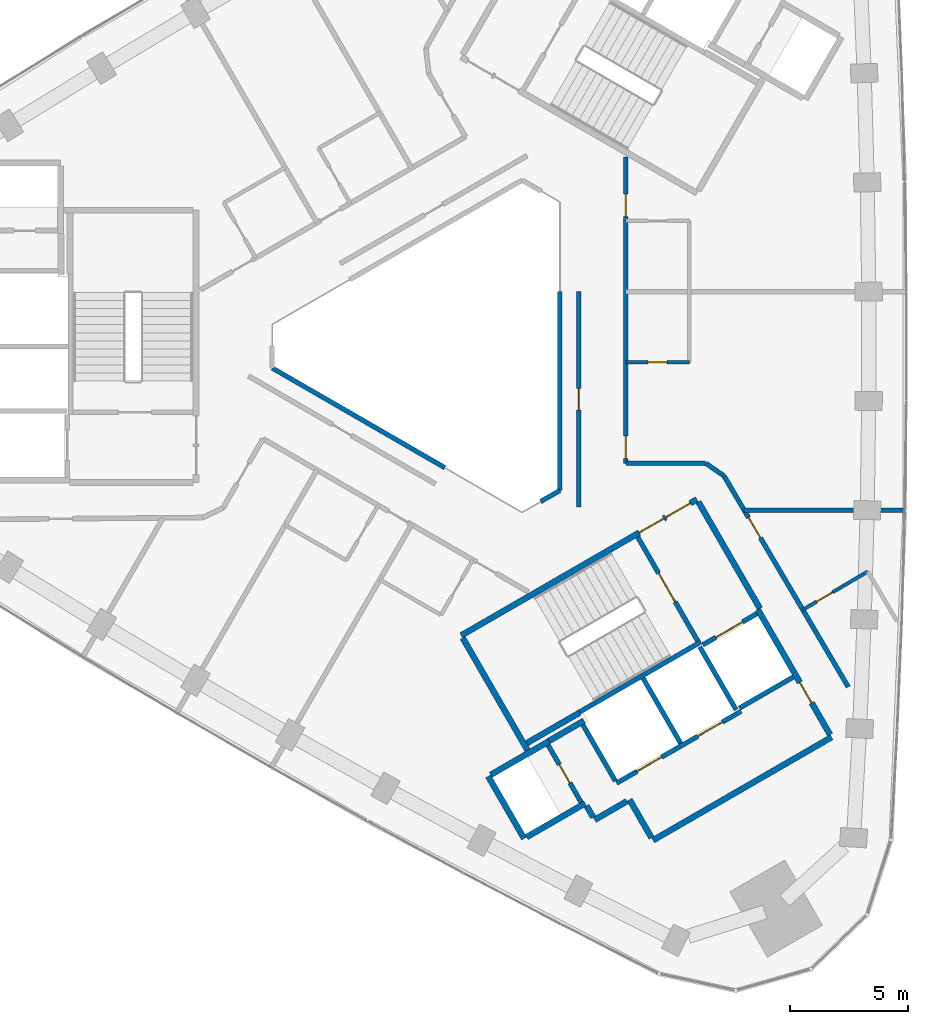
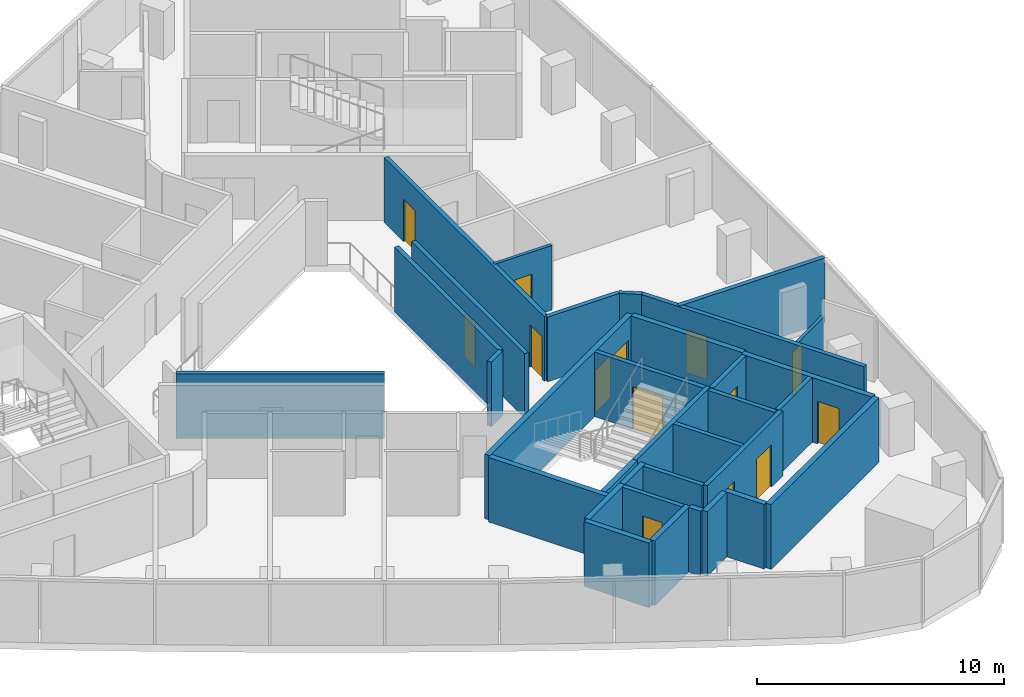
# One storey, part 8 of 11: 33 walls, 14 doors, 14 openings.
"""IFC4 building model written with IfcOpenShell, lengths in metres."""

import ifcopenshell
import ifcopenshell.guid

model = None  # the IFC model being written
_history = None  # IfcOwnerHistory: only IFC2X3 demands one
_inside = {}  # id of a spatial element -> (the spatial element, [elements in it])
_under = {}  # id of a project, library or spatial element -> (it, [spatial elements below it])
_declared = {}  # id of a project -> (the project, [libraries it declares])
_typed = {}  # id of a type object -> (the type object, [elements of that type])
_made_of = {}  # id of a material, layer set ... -> (it, [elements and type objects made of it])


def new_model(schema):
    """Start an empty IFC model of exactly this schema.

    Asked for "IFC4X3", IfcOpenShell would pick the latest addendum, in which some entities
    have other attributes; the version numbers below select the first issue.
    IFC2X3 requires an IfcOwnerHistory on every rooted entity: one is made here for all.
    """
    global model, _history
    if schema == "IFC4X3":
        model = ifcopenshell.file(schema_version=(4, 3, 0, 0))
    else:
        model = ifcopenshell.file(schema=schema)
    _inside.clear()
    _under.clear()
    _declared.clear()
    _typed.clear()
    _made_of.clear()
    _history = None
    if model.schema == "IFC2X3":
        org = make("IfcOrganization", Name="unknown")
        user = make(
            "IfcPersonAndOrganization",
            ThePerson=make("IfcPerson", FamilyName="unknown"),
            TheOrganization=org,
        )
        app = make(
            "IfcApplication",
            ApplicationDeveloper=org,
            Version="unknown",
            ApplicationFullName="unknown",
            ApplicationIdentifier="unknown",
        )
        _history = make(
            "IfcOwnerHistory",
            OwningUser=user,
            OwningApplication=app,
            ChangeAction="ADDED",
            CreationDate=0,
        )
    return model


def make(cls, **values):
    """One entity of the class cls with the attributes given. An attribute that is None is left unset."""
    return model.create_entity(
        cls, **{name: value for name, value in values.items() if value is not None}
    )


def rooted(cls, **values):
    """An entity with a GlobalId (a new one), such as an element, a storey or a relation."""
    return make(cls, GlobalId=ifcopenshell.guid.new(), OwnerHistory=_history, **values)


def si_unit(unit_type, name, prefix=None):
    """IfcSIUnit, for example si_unit("LENGTHUNIT", "METRE", prefix="MILLI")."""
    return make("IfcSIUnit", UnitType=unit_type, Prefix=prefix, Name=name)


def assignment(units):
    """IfcUnitAssignment: the units of a project."""
    return None if units is None else make("IfcUnitAssignment", Units=units)


def point(xyz):
    """IfcCartesianPoint."""
    return None if xyz is None else make("IfcCartesianPoint", Coordinates=xyz)


def direction(xyz):
    """IfcDirection."""
    return None if xyz is None else make("IfcDirection", DirectionRatios=xyz)


def frame(location, z_axis=None, x_axis=None):
    """IfcAxis2Placement3D, a coordinate frame: its origin and axes. An axis left out is left unset."""
    return make(
        "IfcAxis2Placement3D",
        Location=point(location),
        Axis=direction(z_axis),
        RefDirection=direction(x_axis),
    )


def frame_2d(location, x_axis=None):
    """IfcAxis2Placement2D, a coordinate frame in the plane: its origin and x axis."""
    return make(
        "IfcAxis2Placement2D", Location=point(location), RefDirection=direction(x_axis)
    )


def origin():
    """The frame at (0, 0, 0) with its axes left unset."""
    return frame((0.0, 0.0, 0.0))


def place(relative_to, where):
    """IfcLocalPlacement: puts the frame where relative to a parent placement (None: the world)."""
    return make(
        "IfcLocalPlacement", PlacementRelTo=relative_to, RelativePlacement=where
    )


def context(
    kind, dimensions, precision=None, world=None, true_north=None, identifier=None
):
    """IfcGeometricRepresentationContext, for example the 3D "Model" context."""
    return make(
        "IfcGeometricRepresentationContext",
        ContextIdentifier=identifier,
        ContextType=kind,
        CoordinateSpaceDimension=dimensions,
        Precision=precision,
        WorldCoordinateSystem=world,
        TrueNorth=true_north,
    )


def subcontext(parent, identifier, kind, view, scale=None):
    """IfcGeometricRepresentationSubContext, for example "Body" below "Model"."""
    return make(
        "IfcGeometricRepresentationSubContext",
        ContextIdentifier=identifier,
        ContextType=kind,
        ParentContext=parent,
        TargetScale=scale,
        TargetView=view,
    )


def project(units=None, contexts=None):
    """IfcProject with its units and contexts."""
    return rooted(
        "IfcProject",
        Name="project",
        RepresentationContexts=contexts,
        UnitsInContext=assignment(units),
    )


def spatial(cls, under=None, at=None, **own):
    """A site, building, storey or space (cls), placed at a placement, below another one or the project."""
    s = rooted(cls, ObjectPlacement=at, **own)
    if under is not None:
        _under.setdefault(under.id(), (under, []))[1].append(s)
    return s


def profile(cls, at=None, kind="AREA", **sizes):
    """A parametric profile (cls). Its sizes go by their IFC names, for example OverallWidth=200.0."""
    return make(cls, ProfileType=kind, Position=at, **sizes)


def rectangle(**sizes):
    """IfcRectangleProfileDef."""
    return profile("IfcRectangleProfileDef", **sizes)


def extrude(swept, where, along, depth):
    """IfcExtrudedAreaSolid: the profile swept, set in the frame where, extruded along a direction by depth."""
    return make(
        "IfcExtrudedAreaSolid",
        SweptArea=swept,
        Position=where,
        ExtrudedDirection=direction(along),
        Depth=depth,
    )


def shape(context_of_items, identifier, shape_type, items):
    """IfcShapeRepresentation: the items that make up one representation, for example the "Body"."""
    return make(
        "IfcShapeRepresentation",
        ContextOfItems=context_of_items,
        RepresentationIdentifier=identifier,
        RepresentationType=shape_type,
        Items=items,
    )


def material(Name=None, Category=None):
    """IfcMaterial."""
    return make("IfcMaterial", Name=Name, Category=Category)


def layer(
    of_material, thickness, ventilated=None, Name=None, Category=None, Priority=None
):
    """IfcMaterialLayer: one layer of a wall or slab, of a material (None: an air gap)."""
    return make(
        "IfcMaterialLayer",
        Material=of_material,
        LayerThickness=thickness,
        IsVentilated=ventilated,
        Name=Name,
        Category=Category,
        Priority=Priority,
    )


def layer_set(layers, Name=None):
    """IfcMaterialLayerSet."""
    return make("IfcMaterialLayerSet", MaterialLayers=layers, LayerSetName=Name)


def made_of(thing, what):
    """Note that an element or type object is made of a material, layer set ...; save() writes the relation."""
    if what is not None:
        _made_of.setdefault(what.id(), (what, []))[1].append(thing)
    return thing


def type_object(cls, material=None, **own):
    """A type object (cls), such as IfcWallType, which elements share."""
    return made_of(rooted(cls, **own), material)


def element(
    cls,
    number,
    at=None,
    inside=None,
    cuts=None,
    type_object=None,
    material=None,
    context=None,
    identifier="Body",
    shape_type=None,
    held_by="IfcProductDefinitionShape",
    body=None,
    shapes=None,
    **own,
):
    """One element of the class cls, such as IfcWall. Its Tag is "e" and its number.

    at: its placement. inside: the storey or other place that contains it. cuts: it is an
    opening in that element (IfcRelVoidsElement). A single representation is given by context,
    identifier, shape_type and body (its items); several are given by shapes. held_by: the class
    of the entity that holds the representations. save() writes the other relations.
    """
    e = rooted(cls, Tag="e%d" % number, ObjectPlacement=at, **own)
    if body is not None:
        shapes = [shape(context, identifier, shape_type, body)]
    if shapes is not None:
        e.Representation = make(held_by, Representations=shapes)
    if inside is not None:
        _inside.setdefault(inside.id(), (inside, []))[1].append(e)
    if cuts is not None:
        rooted(
            "IfcRelVoidsElement", RelatingBuildingElement=cuts, RelatedOpeningElement=e
        )
    if type_object is not None:
        _typed.setdefault(type_object.id(), (type_object, []))[1].append(e)
    return made_of(e, material)


def fill(opening, filler):
    """IfcRelFillsElement: the door or window that sits in an opening."""
    return rooted(
        "IfcRelFillsElement",
        RelatingOpeningElement=opening,
        RelatedBuildingElement=filler,
    )


def aggregate(whole, parts):
    """IfcRelAggregates: a whole, such as a stair, and the parts it consists of."""
    return rooted("IfcRelAggregates", RelatingObject=whole, RelatedObjects=parts)


def save(model, path):
    """Write the relations noted so far, then the file.

    IfcRelAggregates (storeys below a building ...), IfcRelContainedInSpatialStructure (elements
    in a storey), IfcRelDefinesByType, IfcRelAssociatesMaterial and IfcRelDeclares: one each for
    every whole, place, type object, material and project.
    """
    for whole, parts in _under.values():
        aggregate(whole, parts)
    for where, things in _inside.values():
        rooted(
            "IfcRelContainedInSpatialStructure",
            RelatedElements=things,
            RelatingStructure=where,
        )
    for kind, things in _typed.values():
        rooted("IfcRelDefinesByType", RelatedObjects=things, RelatingType=kind)
    for what, things in _made_of.values():
        rooted("IfcRelAssociatesMaterial", RelatedObjects=things, RelatingMaterial=what)
    for by, libraries in _declared.values():
        rooted("IfcRelDeclares", RelatingContext=by, RelatedDefinitions=libraries)
    model.write(path)


model = new_model("IFC4")

# Units and contexts
model_context = context("Model", 3, precision=1e-05, world=origin(), true_north=direction((0.0, 1.0)))
body_context = subcontext(model_context, "Body", "Model", "MODEL_VIEW")
ifc_project = project(units=[si_unit("LENGTHUNIT", "METRE"), si_unit("AREAUNIT", "SQUARE_METRE"), si_unit("VOLUMEUNIT", "CUBIC_METRE"), si_unit("PLANEANGLEUNIT", "RADIAN"), si_unit("MASSUNIT", "GRAM", prefix="KILO")], contexts=[model_context])

# Site, building, storey
site_placement = place(None, origin())
site = spatial("IfcSite", under=ifc_project, at=site_placement, CompositionType="ELEMENT")
building_placement = place(site_placement, origin())
building = spatial("IfcBuilding", under=site, at=building_placement, Name="Tamra Quay Hotel Tower", CompositionType="ELEMENT")
storey_placement = place(building_placement, frame((0.0, 0.0, 208.0)))
storey = spatial("IfcBuildingStorey", under=building, at=storey_placement, Name="L52", CompositionType="ELEMENT", Elevation=208.0)

# Wall
ifc_material_1 = material(Name="Concrete M70", Category="concrete")
ifc_layer_1 = layer(ifc_material_1, 0.199951171875)
ifc_layer_set_1 = layer_set([ifc_layer_1], Name="Concrete M70 core wall 200")
wall_type_1 = type_object("IfcWallType", Name="Concrete M70 core wall 200", PredefinedType="SHEAR", material=ifc_layer_set_1)
wall_1_placement = place(storey_placement, frame((5.4189453125, -15.533935546875, 0.0), z_axis=(0.0, 0.0, 1.0), x_axis=(0.866029065029, 0.499993658486, 0.0)))
element("IfcWall", 1, at=wall_1_placement, inside=storey, type_object=wall_type_1, Name="CW2", PredefinedType="SHEAR", context=body_context, shape_type="SweptSolid", body=[
    extrude(rectangle(XDim=5.97412109375, YDim=0.199951171875, at=frame_2d((2.987060546875, 0.0))), origin(), (0.0, 0.0, 1.0), 3.199951171875),
])

# Wall, openings, doors
wall_2_placement = place(storey_placement, frame((7.009765625, -18.54150390625, 0.0), z_axis=(0.0, 0.0, 1.0), x_axis=(0.866030299012, 0.499991521122, 0.0)))
wall_2 = element("IfcWall", 2, at=wall_2_placement, inside=storey, type_object=wall_type_1, Name="CW2", PredefinedType="SHEAR", context=body_context, shape_type="SweptSolid", body=[
    extrude(rectangle(XDim=6.10009765625, YDim=0.199951171875, at=frame_2d((3.050048828125, 0.0))), origin(), (0.0, 0.0, 1.0), 3.199951171875),
])
opening_1_placement = place(wall_2_placement, frame((1.0, 0.0, 0.0)))
opening_1 = element("IfcOpeningElement", 3, at=opening_1_placement, cuts=wall_2, Name="Opening LD", PredefinedType="OPENING", context=body_context, shape_type="SweptSolid", body=[
    extrude(rectangle(XDim=1.199951171875, YDim=2.10009765625, at=frame_2d((0.60009765625, 1.050048828125))), frame((0.0, 0.10986328125, 0.0), z_axis=(0.0, -1.0, 0.0), x_axis=(1.0, 0.0, 0.0)), (0.0, 0.0, 1.0), 0.219970703125),
])
opening_2_placement = place(wall_2_placement, frame((3.982177734375, 0.0, 0.0)))
opening_2 = element("IfcOpeningElement", 4, at=opening_2_placement, cuts=wall_2, Name="Opening LD", PredefinedType="OPENING", context=body_context, shape_type="SweptSolid", body=[
    extrude(rectangle(XDim=1.199951171875, YDim=2.10009765625, at=frame_2d((0.60009765625, 1.050048828125))), frame((0.0, 0.10986328125, 0.0), z_axis=(0.0, -1.0, 0.0), x_axis=(1.0, 0.0, 0.0)), (0.0, 0.0, 1.0), 0.219970703125),
])
ifc_material_2 = material(Name="Landing door LD 1200 double door sliding")
door_type_1 = type_object("IfcDoorType", Name="Landing door LD 1200 double door sliding", OperationType="DOUBLE_DOOR_SLIDING", PredefinedType="DOOR", material=ifc_material_2)
door_1_placement = place(opening_1_placement, origin())
door_1 = element("IfcDoor", 5, at=door_1_placement, inside=storey, type_object=door_type_1, Name="LD", OperationType="DOUBLE_DOOR_SLIDING", OverallHeight=2.10009765625, OverallWidth=1.199951171875, PredefinedType="DOOR", context=body_context, shape_type="SweptSolid", body=[
    extrude(rectangle(XDim=1.199951171875, YDim=2.10009765625, at=frame_2d((0.60009765625, 1.050048828125))), frame((0.0, 0.02490234375, 0.0), z_axis=(0.0, -1.0, 0.0), x_axis=(1.0, 0.0, 0.0)), (0.0, 0.0, 1.0), 0.050048828125),
])
fill(opening_1, door_1)
door_2_placement = place(opening_2_placement, origin())
door_2 = element("IfcDoor", 6, at=door_2_placement, inside=storey, type_object=door_type_1, Name="LD", OperationType="DOUBLE_DOOR_SLIDING", OverallHeight=2.10009765625, OverallWidth=1.199951171875, PredefinedType="DOOR", context=body_context, shape_type="SweptSolid", body=[
    extrude(rectangle(XDim=1.199951171875, YDim=2.10009765625, at=frame_2d((0.60009765625, 1.050048828125))), frame((0.0, 0.02490234375, 0.0), z_axis=(0.0, -1.0, 0.0), x_axis=(1.0, 0.0, 0.0)), (0.0, 0.0, 1.0), 0.050048828125),
])
fill(opening_2, door_2)

# Wall, opening, door
wall_3_placement = place(storey_placement, frame((7.906494140625, -8.094482421875, 0.0), z_axis=(0.0, 0.0, 1.0), x_axis=(0.500027839223, -0.866009330205, 0.0)))
wall_3 = element("IfcWall", 7, at=wall_3_placement, inside=storey, type_object=wall_type_1, Name="CW2", PredefinedType="SHEAR", context=body_context, shape_type="SweptSolid", body=[
    extrude(rectangle(XDim=5.097900390625, YDim=0.199951171875, at=frame_2d((2.548828125, 0.0))), origin(), (0.0, 0.0, 1.0), 3.199951171875),
])
opening_3_placement = place(wall_3_placement, frame((1.77392578125, 0.0, 0.0)))
opening_3 = element("IfcOpeningElement", 8, at=opening_3_placement, cuts=wall_3, Name="Opening FD2", PredefinedType="OPENING", context=body_context, shape_type="SweptSolid", body=[
    extrude(rectangle(XDim=1.39990234375, YDim=2.10009765625, at=frame_2d((0.699951171875, 1.050048828125))), frame((0.0, 0.10986328125, 0.0), z_axis=(0.0, -1.0, 0.0), x_axis=(1.0, 0.0, 0.0)), (0.0, 0.0, 1.0), 0.219970703125),
])
ifc_material_3 = material(Name="Core door FD2 1400x2100 LH")
door_type_2 = type_object("IfcDoorType", Name="Core door FD2 1400x2100 LH", OperationType="NOTDEFINED", PredefinedType="DOOR", material=ifc_material_3)
door_3_placement = place(opening_3_placement, origin())
door_3 = element("IfcDoor", 9, at=door_3_placement, inside=storey, type_object=door_type_2, Name="FD2", OperationType="SINGLE_SWING_LEFT", OverallHeight=2.10009765625, OverallWidth=1.39990234375, PredefinedType="DOOR", context=body_context, shape_type="SweptSolid", body=[
    extrude(rectangle(XDim=1.39990234375, YDim=2.10009765625, at=frame_2d((0.699951171875, 1.050048828125))), frame((0.0, 0.02490234375, 0.0), z_axis=(0.0, -1.0, 0.0), x_axis=(1.0, 0.0, 0.0)), (0.0, 0.0, 1.0), 0.050048828125),
])
fill(opening_3, door_3)

# Wall
wall_4_placement = place(storey_placement, frame((8.131591796875, -14.084228515625, 0.0), z_axis=(0.0, 0.0, 1.0), x_axis=(0.499997778408, -0.866026686418, 0.0)))
element("IfcWall", 10, at=wall_4_placement, inside=storey, type_object=wall_type_1, Name="CW2", PredefinedType="SHEAR", context=body_context, shape_type="SweptSolid", body=[
    extrude(rectangle(XDim=3.1982421875, YDim=0.199951171875, at=frame_2d((1.59912109375, 0.0))), origin(), (0.0, 0.0, 1.0), 3.199951171875),
])

# Wall, opening, door
wall_5_placement = place(storey_placement, frame((5.50341796875, -19.352294921875, 0.0), z_axis=(0.0, 0.0, 1.0), x_axis=(-0.499986818241, 0.866033014143, 0.0)))
wall_5 = element("IfcWall", 11, at=wall_5_placement, inside=storey, type_object=wall_type_1, Name="CW2", PredefinedType="SHEAR", context=body_context, shape_type="SweptSolid", body=[
    extrude(rectangle(XDim=2.7978515625, YDim=0.199951171875, at=frame_2d((1.39892578125, 0.0))), origin(), (0.0, 0.0, 1.0), 3.199951171875),
])
opening_4_placement = place(wall_5_placement, frame((0.948974609375, 0.0, 0.0)))
opening_4 = element("IfcOpeningElement", 12, at=opening_4_placement, cuts=wall_5, Name="Opening D1", PredefinedType="OPENING", context=body_context, shape_type="SweptSolid", body=[
    extrude(rectangle(XDim=0.89990234375, YDim=2.10009765625, at=frame_2d((0.449951171875, 1.050048828125))), frame((0.0, 0.10986328125, 0.0), z_axis=(0.0, -1.0, 0.0), x_axis=(1.0, 0.0, 0.0)), (0.0, 0.0, 1.0), 0.219970703125),
])
ifc_material_4 = material(Name="Core door D1 900x2100 RH")
door_type_3 = type_object("IfcDoorType", Name="Core door D1 900x2100 RH", OperationType="NOTDEFINED", PredefinedType="DOOR", material=ifc_material_4)
door_4_placement = place(opening_4_placement, origin())
door_4 = element("IfcDoor", 13, at=door_4_placement, inside=storey, type_object=door_type_3, Name="D1", OperationType="SINGLE_SWING_RIGHT", OverallHeight=2.10009765625, OverallWidth=0.89990234375, PredefinedType="DOOR", context=body_context, shape_type="SweptSolid", body=[
    extrude(rectangle(XDim=0.89990234375, YDim=2.10009765625, at=frame_2d((0.449951171875, 1.050048828125))), frame((0.0, 0.02490234375, 0.0), z_axis=(0.0, -1.0, 0.0), x_axis=(1.0, 0.0, 0.0)), (0.0, 0.0, 1.0), 0.050048828125),
])
fill(opening_4, door_4)

# Walls
wall_6_placement = place(storey_placement, frame((6.959716796875, -18.455078125, 0.0), z_axis=(0.0, 0.0, 1.0), x_axis=(-0.499926705758, 0.866067716099, 0.0)))
element("IfcWall", 14, at=wall_6_placement, inside=storey, type_object=wall_type_1, Name="CW2", PredefinedType="SHEAR", context=body_context, shape_type="SweptSolid", body=[
    extrude(rectangle(XDim=2.75927734375, YDim=0.199951171875, at=frame_2d((1.379638671875, 0.0))), origin(), (0.0, 0.0, 1.0), 3.199951171875),
])
wall_7_placement = place(storey_placement, frame((12.087646484375, -15.4365234375, 0.0), z_axis=(0.0, 0.0, 1.0), x_axis=(-0.500026960575, 0.86600983753, 0.0)))
element("IfcWall", 15, at=wall_7_placement, inside=storey, type_object=wall_type_1, Name="CW2", PredefinedType="SHEAR", context=body_context, shape_type="SweptSolid", body=[
    extrude(rectangle(XDim=3.099853515625, YDim=0.199951171875, at=frame_2d((1.5498046875, 0.0))), origin(), (0.0, 0.0, 1.0), 3.199951171875),
])

# Wall, opening, door
wall_8_placement = place(storey_placement, frame((10.666015625, -12.677734375, 0.0), z_axis=(0.0, 0.0, 1.0), x_axis=(0.866018407898, 0.500012117035, 0.0)))
wall_8 = element("IfcWall", 16, at=wall_8_placement, inside=storey, type_object=wall_type_1, Name="CW2", PredefinedType="SHEAR", context=body_context, shape_type="SweptSolid", body=[
    extrude(rectangle(XDim=2.65087890625, YDim=0.199951171875, at=frame_2d((1.325439453125, 0.0))), origin(), (0.0, 0.0, 1.0), 3.199951171875),
])
opening_5_placement = place(wall_8_placement, frame((0.65185546875, 0.0, 0.0)))
opening_5 = element("IfcOpeningElement", 17, at=opening_5_placement, cuts=wall_8, Name="Opening LD", PredefinedType="OPENING", context=body_context, shape_type="SweptSolid", body=[
    extrude(rectangle(XDim=1.300048828125, YDim=2.10009765625, at=frame_2d((0.64990234375, 1.050048828125))), frame((0.0, 0.10986328125, 0.0), z_axis=(0.0, -1.0, 0.0), x_axis=(1.0, 0.0, 0.0)), (0.0, 0.0, 1.0), 0.219970703125),
])
ifc_material_5 = material(Name="Landing door LD 1300 sliding to left")
door_type_4 = type_object("IfcDoorType", Name="Landing door LD 1300 sliding to left", OperationType="NOTDEFINED", PredefinedType="DOOR", material=ifc_material_5)
door_5_placement = place(opening_5_placement, origin())
door_5 = element("IfcDoor", 18, at=door_5_placement, inside=storey, type_object=door_type_4, Name="LD", OperationType="SLIDING_TO_LEFT", OverallHeight=2.10009765625, OverallWidth=1.300048828125, PredefinedType="DOOR", context=body_context, shape_type="SweptSolid", body=[
    extrude(rectangle(XDim=1.300048828125, YDim=2.10009765625, at=frame_2d((0.64990234375, 1.050048828125))), frame((0.0, 0.02490234375, 0.0), z_axis=(0.0, -1.0, 0.0), x_axis=(1.0, 0.0, 0.0)), (0.0, 0.0, 1.0), 0.050048828125),
])
fill(opening_5, door_5)

# Wall
wall_9_placement = place(storey_placement, frame((14.51171875, -14.037109375, 0.0), z_axis=(0.0, 0.0, 1.0), x_axis=(-0.866018407898, -0.500012117035, 0.0)))
element("IfcWall", 19, at=wall_9_placement, inside=storey, type_object=wall_type_1, Name="CW2", PredefinedType="SHEAR", context=body_context, shape_type="SweptSolid", body=[
    extrude(rectangle(XDim=2.65087890625, YDim=0.199951171875, at=frame_2d((1.325439453125, 0.0))), origin(), (0.0, 0.0, 1.0), 3.199951171875),
])

# Wall, openings, doors
ifc_layer_2 = layer(ifc_material_1, 0.25)
ifc_layer_set_2 = layer_set([ifc_layer_2], Name="Concrete M70 core wall 250")
wall_type_2 = type_object("IfcWallType", Name="Concrete M70 core wall 250", PredefinedType="SHEAR", material=ifc_layer_set_2)
wall_10_placement = place(storey_placement, frame((0.417236328125, -12.27294921875, 0.0), z_axis=(0.0, 0.0, 1.0), x_axis=(0.866021906294, 0.500006057782, 0.0)))
wall_10 = element("IfcWall", 20, at=wall_10_placement, inside=storey, type_object=wall_type_2, Name="CW1", PredefinedType="SHEAR", context=body_context, shape_type="SweptSolid", body=[
    extrude(rectangle(XDim=11.550048828125, YDim=0.25, at=frame_2d((5.77490234375, 0.0))), origin(), (0.0, 0.0, 1.0), 3.199951171875),
])
opening_6_placement = place(wall_10_placement, frame((10.024658203125, 0.0, 0.0)))
opening_6 = element("IfcOpeningElement", 21, at=opening_6_placement, cuts=wall_10, Name="Opening FD1", PredefinedType="OPENING", context=body_context, shape_type="SweptSolid", body=[
    extrude(rectangle(XDim=1.199951171875, YDim=2.10009765625, at=frame_2d((0.60009765625, 1.050048828125))), frame((0.0, 0.135009765625, 0.0), z_axis=(0.0, -1.0, 0.0), x_axis=(1.0, 0.0, 0.0)), (0.0, 0.0, 1.0), 0.27001953125),
])
opening_7_placement = place(wall_10_placement, frame((8.724609375, 0.0, 0.0)))
opening_7 = element("IfcOpeningElement", 22, at=opening_7_placement, cuts=wall_10, Name="Opening FD1", PredefinedType="OPENING", context=body_context, shape_type="SweptSolid", body=[
    extrude(rectangle(XDim=1.199951171875, YDim=2.10009765625, at=frame_2d((0.60009765625, 1.050048828125))), frame((0.0, 0.135009765625, 0.0), z_axis=(0.0, -1.0, 0.0), x_axis=(1.0, 0.0, 0.0)), (0.0, 0.0, 1.0), 0.27001953125),
])
ifc_material_6 = material(Name="Core door FD1 1200x2100 LH")
door_type_5 = type_object("IfcDoorType", Name="Core door FD1 1200x2100 LH", OperationType="NOTDEFINED", PredefinedType="DOOR", material=ifc_material_6)
door_6_placement = place(opening_6_placement, origin())
door_6 = element("IfcDoor", 23, at=door_6_placement, inside=storey, type_object=door_type_5, Name="FD1", OperationType="SINGLE_SWING_LEFT", OverallHeight=2.10009765625, OverallWidth=1.199951171875, PredefinedType="DOOR", context=body_context, shape_type="SweptSolid", body=[
    extrude(rectangle(XDim=1.199951171875, YDim=2.10009765625, at=frame_2d((0.60009765625, 1.050048828125))), frame((0.0, 0.02490234375, 0.0), z_axis=(0.0, -1.0, 0.0), x_axis=(1.0, 0.0, 0.0)), (0.0, 0.0, 1.0), 0.050048828125),
])
fill(opening_6, door_6)
ifc_material_7 = material(Name="Core door FD1 1200x2100 RH")
door_type_6 = type_object("IfcDoorType", Name="Core door FD1 1200x2100 RH", OperationType="NOTDEFINED", PredefinedType="DOOR", material=ifc_material_7)
door_7_placement = place(opening_7_placement, origin())
door_7 = element("IfcDoor", 24, at=door_7_placement, inside=storey, type_object=door_type_6, Name="FD1", OperationType="SINGLE_SWING_RIGHT", OverallHeight=2.10009765625, OverallWidth=1.199951171875, PredefinedType="DOOR", context=body_context, shape_type="SweptSolid", body=[
    extrude(rectangle(XDim=1.199951171875, YDim=2.10009765625, at=frame_2d((0.60009765625, 1.050048828125))), frame((0.0, 0.02490234375, 0.0), z_axis=(0.0, -1.0, 0.0), x_axis=(1.0, 0.0, 0.0)), (0.0, 0.0, 1.0), 0.050048828125),
])
fill(opening_7, door_7)

# Wall
wall_11_placement = place(storey_placement, frame((16.13330078125, -16.59375, 0.0), z_axis=(0.0, 0.0, 1.0), x_axis=(-0.866022959057, -0.500004234368, 0.0)))
element("IfcWall", 25, at=wall_11_placement, inside=storey, type_object=wall_type_2, Name="CW1", PredefinedType="SHEAR", context=body_context, shape_type="SweptSolid", body=[
    extrude(rectangle(XDim=8.75, YDim=0.25, at=frame_2d((4.375, 0.0))), origin(), (0.0, 0.0, 1.0), 3.199951171875),
])

# Wall, opening, door
wall_12_placement = place(storey_placement, frame((13.00830078125, -11.18115234375, 0.0), z_axis=(0.0, 0.0, 1.0), x_axis=(0.500001955336, -0.866024274868, 0.0)))
wall_12 = element("IfcWall", 26, at=wall_12_placement, inside=storey, type_object=wall_type_2, Name="CW1", PredefinedType="SHEAR", context=body_context, shape_type="SweptSolid", body=[
    extrude(rectangle(XDim=6.12451171875, YDim=0.25, at=frame_2d((3.062255859375, 0.0))), origin(), (0.0, 0.0, 1.0), 3.199951171875),
])
opening_8_placement = place(wall_12_placement, frame((3.562744140625, 0.0, 0.0)))
opening_8 = element("IfcOpeningElement", 27, at=opening_8_placement, cuts=wall_12, Name="Opening FD3", PredefinedType="OPENING", context=body_context, shape_type="SweptSolid", body=[
    extrude(rectangle(XDim=1.0, YDim=2.10009765625, at=frame_2d((0.5, 1.050048828125))), frame((0.0, 0.135009765625, 0.0), z_axis=(0.0, -1.0, 0.0), x_axis=(1.0, 0.0, 0.0)), (0.0, 0.0, 1.0), 0.27001953125),
])
ifc_material_8 = material(Name="Core door FD3 1000x2100 LH")
door_type_7 = type_object("IfcDoorType", Name="Core door FD3 1000x2100 LH", OperationType="NOTDEFINED", PredefinedType="DOOR", material=ifc_material_8)
door_8_placement = place(opening_8_placement, origin())
door_8 = element("IfcDoor", 28, at=door_8_placement, inside=storey, type_object=door_type_7, Name="FD3", OperationType="SINGLE_SWING_LEFT", OverallHeight=2.10009765625, OverallWidth=1.0, PredefinedType="DOOR", context=body_context, shape_type="SweptSolid", body=[
    extrude(rectangle(XDim=1.0, YDim=2.10009765625, at=frame_2d((0.5, 1.050048828125))), frame((0.0, 0.02490234375, 0.0), z_axis=(0.0, -1.0, 0.0), x_axis=(1.0, 0.0, 0.0)), (0.0, 0.0, 1.0), 0.050048828125),
])
fill(opening_8, door_8)

# Walls
wall_13_placement = place(storey_placement, frame((3.23486328125, -17.15283203125, 0.0), z_axis=(0.0, 0.0, 1.0), x_axis=(-0.500008851346, 0.866020293397, 0.0)))
element("IfcWall", 29, at=wall_13_placement, inside=storey, type_object=wall_type_2, Name="CW1", PredefinedType="SHEAR", context=body_context, shape_type="SweptSolid", body=[
    extrude(rectangle(XDim=5.509765625, YDim=0.25, at=frame_2d((2.7548828125, 0.0))), origin(), (0.0, 0.0, 1.0), 3.199951171875),
])
wall_14_placement = place(storey_placement, frame((10.482666015625, -6.6064453125, 0.0), z_axis=(0.0, 0.0, 1.0), x_axis=(0.49999885962, -0.866026062182, 0.0)))
element("IfcWall", 30, at=wall_14_placement, inside=storey, type_object=wall_type_2, Name="CW1", PredefinedType="SHEAR", context=body_context, shape_type="SweptSolid", body=[
    extrude(rectangle(XDim=5.224609375, YDim=0.25, at=frame_2d((2.6123046875, 0.0))), origin(), (0.0, 0.0, 1.0), 3.199951171875),
])
wall_15_placement = place(storey_placement, frame((3.085205078125, -20.893798828125, 0.0), z_axis=(0.0, 0.0, 1.0), x_axis=(-0.499978833458, 0.866037623948, 0.0)))
element("IfcWall", 31, at=wall_15_placement, inside=storey, type_object=wall_type_2, Name="CW1", PredefinedType="SHEAR", context=body_context, shape_type="SweptSolid", body=[
    extrude(rectangle(XDim=3.050048828125, YDim=0.25, at=frame_2d((1.52490234375, 0.0))), origin(), (0.0, 0.0, 1.0), 3.199951171875),
])
wall_16_placement = place(storey_placement, frame((1.6689453125, -18.189697265625, 0.0), z_axis=(0.0, 0.0, 1.0), x_axis=(0.866042235819, 0.499970844928, 0.0)))
element("IfcWall", 32, at=wall_16_placement, inside=storey, type_object=wall_type_2, Name="CW1", PredefinedType="SHEAR", context=body_context, shape_type="SweptSolid", body=[
    extrude(rectangle(XDim=2.864501953125, YDim=0.25, at=frame_2d((1.43212890625, 0.0))), origin(), (0.0, 0.0, 1.0), 3.199951171875),
])
wall_17_placement = place(storey_placement, frame((5.6748046875, -19.39892578125, 0.0), z_axis=(0.0, 0.0, 1.0), x_axis=(-0.866026637627, -0.499997862916, 0.0)))
element("IfcWall", 33, at=wall_17_placement, inside=storey, type_object=wall_type_2, Name="CW1", PredefinedType="SHEAR", context=body_context, shape_type="SweptSolid", body=[
    extrude(rectangle(XDim=2.86474609375, YDim=0.25, at=frame_2d((1.432373046875, 0.0))), origin(), (0.0, 0.0, 1.0), 3.199951171875),
])
wall_18_placement = place(storey_placement, frame((5.4306640625, -15.55615234375, 0.0), z_axis=(0.0, 0.0, 1.0), x_axis=(-0.866022940537, -0.500004266446, 0.0)))
element("IfcWall", 34, at=wall_18_placement, inside=storey, type_object=wall_type_2, Name="CW1", PredefinedType="SHEAR", context=body_context, shape_type="SweptSolid", body=[
    extrude(rectangle(XDim=2.57470703125, YDim=0.25, at=frame_2d((1.287353515625, 0.0))), origin(), (0.0, 0.0, 1.0), 3.199951171875),
])
wall_19_placement = place(storey_placement, frame((8.492919921875, -20.860107421875, 0.0), z_axis=(0.0, 0.0, 1.0), x_axis=(-0.500039802285, 0.866002422705, 0.0)))
element("IfcWall", 35, at=wall_19_placement, inside=storey, type_object=wall_type_2, Name="CW1", PredefinedType="SHEAR", context=body_context, shape_type="SweptSolid", body=[
    extrude(rectangle(XDim=1.864501953125, YDim=0.25, at=frame_2d((0.93212890625, 0.0))), origin(), (0.0, 0.0, 1.0), 3.199951171875),
])
wall_20_placement = place(storey_placement, frame((4.144775390625, -16.748779296875, 0.0), z_axis=(0.0, 0.0, 1.0), x_axis=(0.866038183914, 0.499977863513, 0.0)))
element("IfcWall", 36, at=wall_20_placement, inside=storey, type_object=wall_type_2, Name="CW1", PredefinedType="SHEAR", context=body_context, shape_type="SweptSolid", body=[
    extrude(rectangle(XDim=1.7099609375, YDim=0.25, at=frame_2d((0.85498046875, 0.0))), origin(), (0.0, 0.0, 1.0), 3.199951171875),
])
wall_21_placement = place(storey_placement, frame((7.451904296875, -19.30810546875, 0.0), z_axis=(0.0, 0.0, 1.0), x_axis=(-0.866044474677, -0.49996696679, 0.0)))
element("IfcWall", 37, at=wall_21_placement, inside=storey, type_object=wall_type_2, Name="CW1", PredefinedType="SHEAR", context=body_context, shape_type="SweptSolid", body=[
    extrude(rectangle(XDim=1.58447265625, YDim=0.25, at=frame_2d((0.792236328125, 0.0))), origin(), (0.0, 0.0, 1.0), 3.199951171875),
])
wall_22_placement = place(storey_placement, frame((6.01708984375, -19.99169921875, 0.0), z_axis=(0.0, 0.0, 1.0), x_axis=(-0.500364886717, 0.865814633822, 0.0)))
element("IfcWall", 38, at=wall_22_placement, inside=storey, type_object=wall_type_2, Name="CW1", PredefinedType="SHEAR", context=body_context, shape_type="SweptSolid", body=[
    extrude(rectangle(XDim=0.55908203125, YDim=0.25, at=frame_2d((0.279541015625, 0.0))), origin(), (0.0, 0.0, 1.0), 3.199951171875),
])

# Wall, opening, door
ifc_material_9 = material(Name="Partition corridor wall")
ifc_layer_3 = layer(ifc_material_9, 0.199951171875)
ifc_layer_set_3 = layer_set([ifc_layer_3], Name="Partition corridor wall")
wall_type_3 = type_object("IfcWallType", Name="Partition corridor wall", PredefinedType="PARTITIONING", material=ifc_layer_set_3)
wall_23_placement = place(storey_placement, frame((5.39990234375, -6.826904296875, 0.0), z_axis=(0.0, 0.0, 1.0), x_axis=(0.0, 1.0, 0.0)))
wall_23 = element("IfcWall", 39, at=wall_23_placement, inside=storey, type_object=wall_type_3, Name="W-C", PredefinedType="PARTITIONING", context=body_context, shape_type="SweptSolid", body=[
    extrude(rectangle(XDim=9.157958984375, YDim=0.199951171875, at=frame_2d((4.5791015625, 0.0))), origin(), (0.0, 0.0, 1.0), 3.199951171875),
])
opening_9_placement = place(wall_23_placement, frame((4.12890625, 0.0, 0.0)))
opening_9 = element("IfcOpeningElement", 40, at=opening_9_placement, cuts=wall_23, Name="Opening L52-D020", PredefinedType="OPENING", context=body_context, shape_type="SweptSolid", body=[
    extrude(rectangle(XDim=0.89990234375, YDim=2.10009765625, at=frame_2d((0.449951171875, 1.050048828125))), frame((0.0, 0.10986328125, 0.0), z_axis=(0.0, -1.0, 0.0), x_axis=(1.0, 0.0, 0.0)), (0.0, 0.0, 1.0), 0.219970703125),
])
ifc_material_10 = material(Name="Door service room 900x2100")
door_type_8 = type_object("IfcDoorType", Name="Door service room 900x2100", OperationType="NOTDEFINED", PredefinedType="DOOR", material=ifc_material_10)
door_9_placement = place(opening_9_placement, origin())
door_9 = element("IfcDoor", 41, at=door_9_placement, inside=storey, type_object=door_type_8, Name="L52-D020", OperationType="SINGLE_SWING_LEFT", OverallHeight=2.10009765625, OverallWidth=0.89990234375, PredefinedType="DOOR", context=body_context, shape_type="SweptSolid", body=[
    extrude(rectangle(XDim=0.89990234375, YDim=2.10009765625, at=frame_2d((0.449951171875, 1.050048828125))), frame((0.0, 0.02490234375, 0.0), z_axis=(0.0, -1.0, 0.0), x_axis=(1.0, 0.0, 0.0)), (0.0, 0.0, 1.0), 0.050048828125),
])
fill(opening_9, door_9)

# Wall, openings, doors
wall_24_placement = place(storey_placement, frame((7.39990234375, -4.966064453125, 0.0), z_axis=(0.0, 0.0, 1.0), x_axis=(0.0, 1.0, 0.0)))
wall_24 = element("IfcWall", 42, at=wall_24_placement, inside=storey, type_object=wall_type_3, Name="W-C", PredefinedType="PARTITIONING", context=body_context, shape_type="SweptSolid", body=[
    extrude(rectangle(XDim=12.993896484375, YDim=0.199951171875, at=frame_2d((6.4970703125, 0.0))), origin(), (0.0, 0.0, 1.0), 3.199951171875),
])
opening_10_placement = place(wall_24_placement, frame((0.199951171875, 0.0, 0.0)))
opening_10 = element("IfcOpeningElement", 43, at=opening_10_placement, cuts=wall_24, Name="Opening L52-D016", PredefinedType="OPENING", context=body_context, shape_type="SweptSolid", body=[
    extrude(rectangle(XDim=0.949951171875, YDim=2.10009765625, at=frame_2d((0.47509765625, 1.050048828125))), frame((0.0, 0.10986328125, 0.0), z_axis=(0.0, -1.0, 0.0), x_axis=(1.0, 0.0, 0.0)), (0.0, 0.0, 1.0), 0.219970703125),
])
opening_11_placement = place(wall_24_placement, frame((10.472900390625, 0.0, 0.0)))
opening_11 = element("IfcOpeningElement", 44, at=opening_11_placement, cuts=wall_24, Name="Opening L52-D018", PredefinedType="OPENING", context=body_context, shape_type="SweptSolid", body=[
    extrude(rectangle(XDim=0.949951171875, YDim=2.10009765625, at=frame_2d((0.47509765625, 1.050048828125))), frame((0.0, 0.10986328125, 0.0), z_axis=(0.0, -1.0, 0.0), x_axis=(1.0, 0.0, 0.0)), (0.0, 0.0, 1.0), 0.219970703125),
])
ifc_material_11 = material(Name="Door guest room 950x2100")
door_type_9 = type_object("IfcDoorType", Name="Door guest room 950x2100", OperationType="NOTDEFINED", PredefinedType="DOOR", material=ifc_material_11)
door_10_placement = place(opening_10_placement, frame((0.949951171875, 0.0, 0.0), z_axis=(0.0, 0.0, 1.0), x_axis=(-1.0, 0.0, 0.0)))
door_10 = element("IfcDoor", 45, at=door_10_placement, inside=storey, type_object=door_type_9, Name="L52-D016", OperationType="SINGLE_SWING_LEFT", OverallHeight=2.10009765625, OverallWidth=0.949951171875, PredefinedType="DOOR", context=body_context, shape_type="SweptSolid", body=[
    extrude(rectangle(XDim=0.949951171875, YDim=2.10009765625, at=frame_2d((0.47509765625, 1.050048828125))), frame((0.0, 0.02490234375, 0.0), z_axis=(0.0, -1.0, 0.0), x_axis=(1.0, 0.0, 0.0)), (0.0, 0.0, 1.0), 0.050048828125),
])
fill(opening_10, door_10)
door_11_placement = place(opening_11_placement, frame((0.949951171875, 0.0, 0.0), z_axis=(0.0, 0.0, 1.0), x_axis=(-1.0, 0.0, 0.0)))
door_11 = element("IfcDoor", 46, at=door_11_placement, inside=storey, type_object=door_type_9, Name="L52-D018", OperationType="SINGLE_SWING_LEFT", OverallHeight=2.10009765625, OverallWidth=0.949951171875, PredefinedType="DOOR", context=body_context, shape_type="SweptSolid", body=[
    extrude(rectangle(XDim=0.949951171875, YDim=2.10009765625, at=frame_2d((0.47509765625, 1.050048828125))), frame((0.0, 0.02490234375, 0.0), z_axis=(0.0, -1.0, 0.0), x_axis=(1.0, 0.0, 0.0)), (0.0, 0.0, 1.0), 0.050048828125),
])
fill(opening_11, door_11)

# Walls
wall_25_placement = place(storey_placement, frame((7.39990234375, -4.966064453125, 0.0), z_axis=(0.0, 0.0, 1.0), x_axis=(1.0, 0.0, 0.0)))
element("IfcWall", 47, at=wall_25_placement, inside=storey, type_object=wall_type_3, Name="W-C", PredefinedType="PARTITIONING", context=body_context, shape_type="SweptSolid", body=[
    extrude(rectangle(XDim=3.39306640625, YDim=0.199951171875, at=frame_2d((1.696533203125, 0.0))), origin(), (0.0, 0.0, 1.0), 3.199951171875),
])
wall_26_placement = place(storey_placement, frame((10.7939453125, -4.966064453125, 0.0), z_axis=(0.0, 0.0, 1.0), x_axis=(0.822266583859, -0.569102508401, 0.0)))
element("IfcWall", 48, at=wall_26_placement, inside=storey, type_object=wall_type_3, Name="W-C", PredefinedType="PARTITIONING", context=body_context, shape_type="SweptSolid", body=[
    extrude(rectangle(XDim=0.945068359375, YDim=0.199951171875, at=frame_2d((0.47265625, 0.0))), origin(), (0.0, 0.0, 1.0), 3.199951171875),
])

# Wall, opening, door
wall_27_placement = place(storey_placement, frame((11.5712890625, -5.5048828125, 0.0), z_axis=(0.0, 0.0, 1.0), x_axis=(0.507266536157, -0.861789220921, 0.0)))
wall_27 = element("IfcWall", 49, at=wall_27_placement, inside=storey, type_object=wall_type_3, Name="W-C", PredefinedType="PARTITIONING", context=body_context, shape_type="SweptSolid", body=[
    extrude(rectangle(XDim=10.390869140625, YDim=0.199951171875, at=frame_2d((5.1953125, 0.0))), origin(), (0.0, 0.0, 1.0), 3.199951171875),
])
opening_12_placement = place(wall_27_placement, frame((2.047607421875, 0.0, 0.0)))
opening_12 = element("IfcOpeningElement", 50, at=opening_12_placement, cuts=wall_27, Name="Opening L52-D014", PredefinedType="OPENING", context=body_context, shape_type="SweptSolid", body=[
    extrude(rectangle(XDim=1.0, YDim=2.10009765625, at=frame_2d((0.5, 1.050048828125))), frame((0.0, 0.10986328125, 0.0), z_axis=(0.0, -1.0, 0.0), x_axis=(1.0, 0.0, 0.0)), (0.0, 0.0, 1.0), 0.219970703125),
])
ifc_material_12 = material(Name="Door guest room 1000x2100")
door_type_10 = type_object("IfcDoorType", Name="Door guest room 1000x2100", OperationType="NOTDEFINED", PredefinedType="DOOR", material=ifc_material_12)
door_12_placement = place(opening_12_placement, origin())
door_12 = element("IfcDoor", 51, at=door_12_placement, inside=storey, type_object=door_type_10, Name="L52-D014", OperationType="SINGLE_SWING_LEFT", OverallHeight=2.10009765625, OverallWidth=1.0, PredefinedType="DOOR", context=body_context, shape_type="SweptSolid", body=[
    extrude(rectangle(XDim=1.0, YDim=2.10009765625, at=frame_2d((0.5, 1.050048828125))), frame((0.0, 0.02490234375, 0.0), z_axis=(0.0, -1.0, 0.0), x_axis=(1.0, 0.0, 0.0)), (0.0, 0.0, 1.0), 0.050048828125),
])
fill(opening_12, door_12)

ifc_material_13 = material(Name="Partition en-suite wall")
ifc_layer_4 = layer(ifc_material_13, 0.14990234375)
ifc_layer_set_4 = layer_set([ifc_layer_4], Name="Partition en-suite wall")
wall_type_4 = type_object("IfcWallType", Name="Partition en-suite wall", PredefinedType="PARTITIONING", material=ifc_layer_set_4)
wall_28_placement = place(storey_placement, frame((7.39990234375, -0.680908203125, 0.0), z_axis=(0.0, 0.0, 1.0), x_axis=(1.0, 0.0, 0.0)))
wall_28 = element("IfcWall", 52, at=wall_28_placement, inside=storey, type_object=wall_type_4, Name="W-E", PredefinedType="PARTITIONING", context=body_context, shape_type="SweptSolid", body=[
    extrude(rectangle(XDim=2.7001953125, YDim=0.14990234375, at=frame_2d((1.35009765625, 0.0))), origin(), (0.0, 0.0, 1.0), 3.199951171875),
])
opening_13_placement = place(wall_28_placement, frame((0.949951171875, 0.0, 0.0)))
opening_13 = element("IfcOpeningElement", 53, at=opening_13_placement, cuts=wall_28, Name="Opening L52-D017", PredefinedType="OPENING", context=body_context, shape_type="SweptSolid", body=[
    extrude(rectangle(XDim=0.800048828125, YDim=2.10009765625, at=frame_2d((0.39990234375, 1.050048828125))), frame((0.0, 0.0849609375, 0.0), z_axis=(0.0, -1.0, 0.0), x_axis=(1.0, 0.0, 0.0)), (0.0, 0.0, 1.0), 0.169921875),
])
ifc_material_14 = material(Name="Door en-suite 800x2100")
door_type_11 = type_object("IfcDoorType", Name="Door en-suite 800x2100", OperationType="NOTDEFINED", PredefinedType="DOOR", material=ifc_material_14)
door_13_placement = place(opening_13_placement, frame((0.800048828125, 0.0, 0.0), z_axis=(0.0, 0.0, 1.0), x_axis=(-1.0, 0.0, 0.0)))
door_13 = element("IfcDoor", 54, at=door_13_placement, inside=storey, type_object=door_type_11, Name="L52-D017", OperationType="SINGLE_SWING_LEFT", OverallHeight=2.10009765625, OverallWidth=0.800048828125, PredefinedType="DOOR", context=body_context, shape_type="SweptSolid", body=[
    extrude(rectangle(XDim=0.800048828125, YDim=2.10009765625, at=frame_2d((0.39990234375, 1.050048828125))), frame((0.0, 0.02490234375, 0.0), z_axis=(0.0, -1.0, 0.0), x_axis=(1.0, 0.0, 0.0)), (0.0, 0.0, 1.0), 0.050048828125),
])
fill(opening_13, door_13)

wall_29_placement = place(storey_placement, frame((14.9140625, -11.18408203125, 0.0), z_axis=(0.0, 0.0, 1.0), x_axis=(0.861843987552, 0.507173482273, 0.0)))
wall_29 = element("IfcWall", 55, at=wall_29_placement, inside=storey, type_object=wall_type_4, Name="W-E", PredefinedType="PARTITIONING", context=body_context, shape_type="SweptSolid", body=[
    extrude(rectangle(XDim=3.2001953125, YDim=0.14990234375, at=frame_2d((1.60009765625, 0.0))), origin(), (0.0, 0.0, 1.0), 2.385986328125),
])
opening_14_placement = place(wall_29_placement, frame((0.675048828125, 0.0, 0.0)))
opening_14 = element("IfcOpeningElement", 56, at=opening_14_placement, cuts=wall_29, Name="Opening L52-D015", PredefinedType="OPENING", context=body_context, shape_type="SweptSolid", body=[
    extrude(rectangle(XDim=0.800048828125, YDim=2.10009765625, at=frame_2d((0.39990234375, 1.050048828125))), frame((0.0, 0.0849609375, 0.0), z_axis=(0.0, -1.0, 0.0), x_axis=(1.0, 0.0, 0.0)), (0.0, 0.0, 1.0), 0.169921875),
])
door_14_placement = place(opening_14_placement, origin())
door_14 = element("IfcDoor", 57, at=door_14_placement, inside=storey, type_object=door_type_11, Name="L52-D015", OperationType="SINGLE_SWING_LEFT", OverallHeight=2.10009765625, OverallWidth=0.800048828125, PredefinedType="DOOR", context=body_context, shape_type="SweptSolid", body=[
    extrude(rectangle(XDim=0.800048828125, YDim=2.10009765625, at=frame_2d((0.39990234375, 1.050048828125))), frame((0.0, 0.02490234375, 0.0), z_axis=(0.0, -1.0, 0.0), x_axis=(1.0, 0.0, 0.0)), (0.0, 0.0, 1.0), 0.050048828125),
])
fill(opening_14, door_14)

# Walls
ifc_material_15 = material(Name="Partition party wall")
ifc_layer_5 = layer(ifc_material_15, 0.199951171875)
ifc_layer_set_5 = layer_set([ifc_layer_5], Name="Partition party wall")
wall_type_5 = type_object("IfcWallType", Name="Partition party wall", PredefinedType="PARTITIONING", material=ifc_layer_set_5)
wall_30_placement = place(storey_placement, frame((-7.60009765625, -0.924072265625, 0.0), z_axis=(0.0, 0.0, 1.0), x_axis=(0.866038843867, -0.499976720371, 0.0)))
element("IfcWall", 58, at=wall_30_placement, inside=storey, type_object=wall_type_5, Name="W-P", PredefinedType="PARTITIONING", context=body_context, shape_type="SweptSolid", body=[
    extrude(rectangle(XDim=8.4501953125, YDim=0.199951171875, at=frame_2d((4.22509765625, 0.0))), origin(), (0.0, 0.0, 1.0), 3.199951171875),
])
wall_31_placement = place(storey_placement, frame((3.7900390625, -6.587890625, 0.0), z_axis=(0.0, 0.0, 1.0), x_axis=(0.865985641702, 0.500068863623, 0.0)))
element("IfcWall", 59, at=wall_31_placement, inside=storey, type_object=wall_type_5, Name="W-P", PredefinedType="PARTITIONING", context=body_context, shape_type="SweptSolid", body=[
    extrude(rectangle(XDim=0.935302734375, YDim=0.199951171875, at=frame_2d((0.4677734375, 0.0))), origin(), (0.0, 0.0, 1.0), 3.199951171875),
])
wall_32_placement = place(storey_placement, frame((4.60009765625, -6.1201171875, 0.0), z_axis=(0.0, 0.0, 1.0), x_axis=(0.0, 1.0, 0.0)))
element("IfcWall", 60, at=wall_32_placement, inside=storey, type_object=wall_type_5, Name="W-P", PredefinedType="PARTITIONING", context=body_context, shape_type="SweptSolid", body=[
    extrude(rectangle(XDim=8.451171875, YDim=0.199951171875, at=frame_2d((4.2255859375, 0.0))), origin(), (0.0, 0.0, 1.0), 3.199951171875),
])
wall_33_placement = place(storey_placement, frame((12.425048828125, -6.9560546875, 0.0), z_axis=(0.0, 0.0, 1.0), x_axis=(1.0, 0.0, 0.0)))
element("IfcWall", 61, at=wall_33_placement, inside=storey, type_object=wall_type_5, Name="W-P", PredefinedType="PARTITIONING", context=body_context, shape_type="SweptSolid", body=[
    extrude(rectangle(XDim=6.817138671875, YDim=0.199951171875, at=frame_2d((3.40869140625, 0.0))), origin(), (0.0, 0.0, 1.0), 3.199951171875),
])

save(model, "model.ifc")
